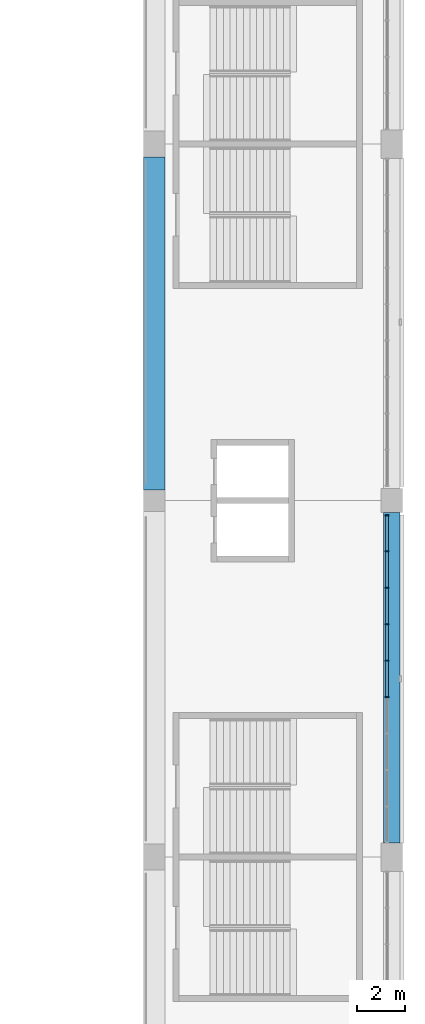
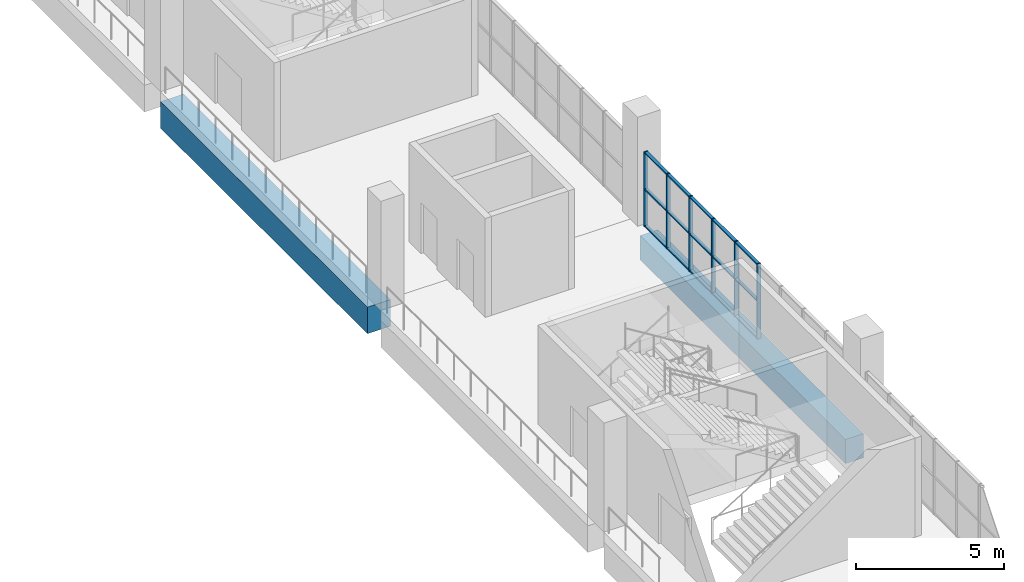
# One storey, part 24 of 177: 21 members, 2 beams, 1 element without a shape of its own.
"""IFC4 building model written with IfcOpenShell, lengths in metres."""

from ifc_helpers import new_model, si_unit, direction, frame, origin, origin_2d, place, context, subcontext, project, spatial, rectangle, extrude, material, material_profile, profile_set, type_object, element, aggregate, save


model = new_model("IFC4")

# Units and contexts
model_context = context("Model", 3, precision=1e-05, world=origin(), true_north=direction((0.0, 1.0)))
body_context = subcontext(model_context, "Body", "Model", "MODEL_VIEW")
ifc_project = project(units=[si_unit("LENGTHUNIT", "METRE"), si_unit("AREAUNIT", "SQUARE_METRE"), si_unit("VOLUMEUNIT", "CUBIC_METRE"), si_unit("PLANEANGLEUNIT", "RADIAN"), si_unit("MASSUNIT", "GRAM", prefix="KILO")], contexts=[model_context])

# Site, building, storey
site_placement = place(None, origin())
site = spatial("IfcSite", under=ifc_project, at=site_placement, CompositionType="ELEMENT")
building_placement = place(site_placement, origin())
building = spatial("IfcBuilding", under=site, at=building_placement, Name="Ogive Plaza Stadium", CompositionType="ELEMENT")
storey_placement = place(building_placement, frame((0.0, 0.0, 18.0)))
storey = spatial("IfcBuildingStorey", under=building, at=storey_placement, Name="L04", CompositionType="ELEMENT", Elevation=18.0)

# Curtain wall, members
ifc_material_1 = material(Name="Bronze-anodised aluminium with laminated glass", Category="aluminium")
curtain_wall_type = type_object("IfcCurtainWallType", Name="Lancet curtain wall", PredefinedType="NOTDEFINED", material=ifc_material_1)
curtain_wall_placement = place(storey_placement, origin())
curtain_wall = element("IfcCurtainWall", 1, at=curtain_wall_placement, inside=storey, type_object=curtain_wall_type, Name="CURTAIN WALL B05 L04", PredefinedType="NOTDEFINED")
ifc_material_2 = material(Name="Bronze-anodised aluminium", Category="aluminium")
ifc_material_profile_1 = material_profile(ifc_material_2, rectangle(XDim=0.14990234375, YDim=0.050048828125, at=origin_2d()), Name="AL 150x50")
ifc_profile_set_1 = profile_set([ifc_material_profile_1], Name="Bronze-anodised aluminium")
member_type_1 = type_object("IfcMemberType", Name="Curtain wall mullion 50x150", PredefinedType="MULLION", material=ifc_profile_set_1)
member_1_placement = place(storey_placement, frame((83.800048828125, -8.125, 0.0), z_axis=(0.0, 0.0, 1.0), x_axis=(1.0, 0.0, 0.0)))
member_1 = element("IfcMember", 2, at=member_1_placement, type_object=member_type_1, Name="CW-B05-L04 mullion 1", PredefinedType="MULLION", context=body_context, shape_type="SweptSolid", body=[
    extrude(rectangle(XDim=0.14990234375, YDim=0.050048828125, at=origin_2d()), origin(), (0.0, 0.0, 1.0), 3.090087890625),
])
member_2_placement = place(storey_placement, frame((83.800048828125, -9.63330078125, 0.0), z_axis=(0.0, 0.0, 1.0), x_axis=(1.0, 0.0, 0.0)))
member_2 = element("IfcMember", 3, at=member_2_placement, type_object=member_type_1, Name="CW-B05-L04 mullion 2", PredefinedType="MULLION", context=body_context, shape_type="SweptSolid", body=[
    extrude(rectangle(XDim=0.14990234375, YDim=0.050048828125, at=origin_2d()), origin(), (0.0, 0.0, 1.0), 3.090087890625),
])
member_3_placement = place(storey_placement, frame((83.800048828125, -11.166748046875, 0.0), z_axis=(0.0, 0.0, 1.0), x_axis=(1.0, 0.0, 0.0)))
member_3 = element("IfcMember", 4, at=member_3_placement, type_object=member_type_1, Name="CW-B05-L04 mullion 3", PredefinedType="MULLION", context=body_context, shape_type="SweptSolid", body=[
    extrude(rectangle(XDim=0.14990234375, YDim=0.050048828125, at=origin_2d()), origin(), (0.0, 0.0, 1.0), 3.090087890625),
])
member_4_placement = place(storey_placement, frame((83.800048828125, -12.699951171875, 0.0), z_axis=(0.0, 0.0, 1.0), x_axis=(1.0, 0.0, 0.0)))
member_4 = element("IfcMember", 5, at=member_4_placement, type_object=member_type_1, Name="CW-B05-L04 mullion 4", PredefinedType="MULLION", context=body_context, shape_type="SweptSolid", body=[
    extrude(rectangle(XDim=0.14990234375, YDim=0.050048828125, at=origin_2d()), origin(), (0.0, 0.0, 1.0), 3.090087890625),
])
member_5_placement = place(storey_placement, frame((83.800048828125, -14.2333984375, 0.0), z_axis=(0.0, 0.0, 1.0), x_axis=(1.0, 0.0, 0.0)))
member_5 = element("IfcMember", 6, at=member_5_placement, type_object=member_type_1, Name="CW-B05-L04 mullion 5", PredefinedType="MULLION", context=body_context, shape_type="SweptSolid", body=[
    extrude(rectangle(XDim=0.14990234375, YDim=0.050048828125, at=origin_2d()), origin(), (0.0, 0.0, 1.0), 3.090087890625),
])
member_6_placement = place(storey_placement, frame((83.800048828125, -15.7666015625, 0.0), z_axis=(0.0, 0.0, 1.0), x_axis=(1.0, 0.0, 0.0)))
member_6 = element("IfcMember", 7, at=member_6_placement, type_object=member_type_1, Name="CW-B05-L04 mullion 6", PredefinedType="MULLION", context=body_context, shape_type="SweptSolid", body=[
    extrude(rectangle(XDim=0.14990234375, YDim=0.050048828125, at=origin_2d()), origin(), (0.0, 0.0, 1.0), 3.090087890625),
])
ifc_material_3 = material(Name="Bronze-anodised aluminium", Category="aluminium")
ifc_material_profile_2 = material_profile(ifc_material_3, rectangle(XDim=0.1201171875, YDim=0.050048828125, at=origin_2d()), Name="AL 120x50")
ifc_profile_set_2 = profile_set([ifc_material_profile_2], Name="Bronze-anodised aluminium")
member_type_2 = type_object("IfcMemberType", Name="Curtain wall transom 50x120", PredefinedType="USERDEFINED", material=ifc_profile_set_2)
member_7_placement = place(storey_placement, frame((83.800048828125, -8.14990234375, 0.02490234375), z_axis=(0.0, -1.0, 0.0), x_axis=(1.0, 0.0, 0.0)))
member_7 = element("IfcMember", 8, at=member_7_placement, type_object=member_type_2, Name="CW-B05-L04 transom 1.1", ObjectType="TRANSOM", PredefinedType="USERDEFINED", context=body_context, shape_type="SweptSolid", body=[
    extrude(rectangle(XDim=0.1201171875, YDim=0.050048828125, at=origin_2d()), origin(), (0.0, 0.0, 1.0), 1.45849609375),
])
member_8_placement = place(storey_placement, frame((83.800048828125, -8.14990234375, 1.544921875), z_axis=(0.0, -1.0, 0.0), x_axis=(1.0, 0.0, 0.0)))
member_8 = element("IfcMember", 9, at=member_8_placement, type_object=member_type_2, Name="CW-B05-L04 transom 1.2", ObjectType="TRANSOM", PredefinedType="USERDEFINED", context=body_context, shape_type="SweptSolid", body=[
    extrude(rectangle(XDim=0.1201171875, YDim=0.050048828125, at=origin_2d()), origin(), (0.0, 0.0, 1.0), 1.45849609375),
])
member_9_placement = place(storey_placement, frame((83.800048828125, -8.14990234375, 3.06494140625), z_axis=(0.0, -1.0, 0.0), x_axis=(1.0, 0.0, 0.0)))
member_9 = element("IfcMember", 10, at=member_9_placement, type_object=member_type_2, Name="CW-B05-L04 transom 1.3", ObjectType="TRANSOM", PredefinedType="USERDEFINED", context=body_context, shape_type="SweptSolid", body=[
    extrude(rectangle(XDim=0.1201171875, YDim=0.050048828125, at=origin_2d()), origin(), (0.0, 0.0, 1.0), 1.45849609375),
])
member_10_placement = place(storey_placement, frame((83.800048828125, -9.658447265625, 0.02490234375), z_axis=(0.0, -1.0, 0.0), x_axis=(1.0, 0.0, 0.0)))
member_10 = element("IfcMember", 11, at=member_10_placement, type_object=member_type_2, Name="CW-B05-L04 transom 2.1", ObjectType="TRANSOM", PredefinedType="USERDEFINED", context=body_context, shape_type="SweptSolid", body=[
    extrude(rectangle(XDim=0.1201171875, YDim=0.050048828125, at=origin_2d()), origin(), (0.0, 0.0, 1.0), 1.483154296875),
])
member_11_placement = place(storey_placement, frame((83.800048828125, -9.658447265625, 1.544921875), z_axis=(0.0, -1.0, 0.0), x_axis=(1.0, 0.0, 0.0)))
member_11 = element("IfcMember", 12, at=member_11_placement, type_object=member_type_2, Name="CW-B05-L04 transom 2.2", ObjectType="TRANSOM", PredefinedType="USERDEFINED", context=body_context, shape_type="SweptSolid", body=[
    extrude(rectangle(XDim=0.1201171875, YDim=0.050048828125, at=origin_2d()), origin(), (0.0, 0.0, 1.0), 1.483154296875),
])
member_12_placement = place(storey_placement, frame((83.800048828125, -9.658447265625, 3.06494140625), z_axis=(0.0, -1.0, 0.0), x_axis=(1.0, 0.0, 0.0)))
member_12 = element("IfcMember", 13, at=member_12_placement, type_object=member_type_2, Name="CW-B05-L04 transom 2.3", ObjectType="TRANSOM", PredefinedType="USERDEFINED", context=body_context, shape_type="SweptSolid", body=[
    extrude(rectangle(XDim=0.1201171875, YDim=0.050048828125, at=origin_2d()), origin(), (0.0, 0.0, 1.0), 1.483154296875),
])
member_13_placement = place(storey_placement, frame((83.800048828125, -11.191650390625, 0.02490234375), z_axis=(0.0, -1.0, 0.0), x_axis=(1.0, 0.0, 0.0)))
member_13 = element("IfcMember", 14, at=member_13_placement, type_object=member_type_2, Name="CW-B05-L04 transom 3.1", ObjectType="TRANSOM", PredefinedType="USERDEFINED", context=body_context, shape_type="SweptSolid", body=[
    extrude(rectangle(XDim=0.1201171875, YDim=0.050048828125, at=origin_2d()), origin(), (0.0, 0.0, 1.0), 1.4833984375),
])
member_14_placement = place(storey_placement, frame((83.800048828125, -11.191650390625, 1.544921875), z_axis=(0.0, -1.0, 0.0), x_axis=(1.0, 0.0, 0.0)))
member_14 = element("IfcMember", 15, at=member_14_placement, type_object=member_type_2, Name="CW-B05-L04 transom 3.2", ObjectType="TRANSOM", PredefinedType="USERDEFINED", context=body_context, shape_type="SweptSolid", body=[
    extrude(rectangle(XDim=0.1201171875, YDim=0.050048828125, at=origin_2d()), origin(), (0.0, 0.0, 1.0), 1.4833984375),
])
member_15_placement = place(storey_placement, frame((83.800048828125, -11.191650390625, 3.06494140625), z_axis=(0.0, -1.0, 0.0), x_axis=(1.0, 0.0, 0.0)))
member_15 = element("IfcMember", 16, at=member_15_placement, type_object=member_type_2, Name="CW-B05-L04 transom 3.3", ObjectType="TRANSOM", PredefinedType="USERDEFINED", context=body_context, shape_type="SweptSolid", body=[
    extrude(rectangle(XDim=0.1201171875, YDim=0.050048828125, at=origin_2d()), origin(), (0.0, 0.0, 1.0), 1.4833984375),
])
member_16_placement = place(storey_placement, frame((83.800048828125, -12.72509765625, 0.02490234375), z_axis=(0.0, -1.0, 0.0), x_axis=(1.0, 0.0, 0.0)))
member_16 = element("IfcMember", 17, at=member_16_placement, type_object=member_type_2, Name="CW-B05-L04 transom 4.1", ObjectType="TRANSOM", PredefinedType="USERDEFINED", context=body_context, shape_type="SweptSolid", body=[
    extrude(rectangle(XDim=0.1201171875, YDim=0.050048828125, at=origin_2d()), origin(), (0.0, 0.0, 1.0), 1.483154296875),
])
member_17_placement = place(storey_placement, frame((83.800048828125, -12.72509765625, 1.544921875), z_axis=(0.0, -1.0, 0.0), x_axis=(1.0, 0.0, 0.0)))
member_17 = element("IfcMember", 18, at=member_17_placement, type_object=member_type_2, Name="CW-B05-L04 transom 4.2", ObjectType="TRANSOM", PredefinedType="USERDEFINED", context=body_context, shape_type="SweptSolid", body=[
    extrude(rectangle(XDim=0.1201171875, YDim=0.050048828125, at=origin_2d()), origin(), (0.0, 0.0, 1.0), 1.483154296875),
])
member_18_placement = place(storey_placement, frame((83.800048828125, -12.72509765625, 3.06494140625), z_axis=(0.0, -1.0, 0.0), x_axis=(1.0, 0.0, 0.0)))
member_18 = element("IfcMember", 19, at=member_18_placement, type_object=member_type_2, Name="CW-B05-L04 transom 4.3", ObjectType="TRANSOM", PredefinedType="USERDEFINED", context=body_context, shape_type="SweptSolid", body=[
    extrude(rectangle(XDim=0.1201171875, YDim=0.050048828125, at=origin_2d()), origin(), (0.0, 0.0, 1.0), 1.483154296875),
])
member_19_placement = place(storey_placement, frame((83.800048828125, -14.25830078125, 0.02490234375), z_axis=(0.0, -1.0, 0.0), x_axis=(1.0, 0.0, 0.0)))
member_19 = element("IfcMember", 20, at=member_19_placement, type_object=member_type_2, Name="CW-B05-L04 transom 5.1", ObjectType="TRANSOM", PredefinedType="USERDEFINED", context=body_context, shape_type="SweptSolid", body=[
    extrude(rectangle(XDim=0.1201171875, YDim=0.050048828125, at=origin_2d()), origin(), (0.0, 0.0, 1.0), 1.4833984375),
])
member_20_placement = place(storey_placement, frame((83.800048828125, -14.25830078125, 1.544921875), z_axis=(0.0, -1.0, 0.0), x_axis=(1.0, 0.0, 0.0)))
member_20 = element("IfcMember", 21, at=member_20_placement, type_object=member_type_2, Name="CW-B05-L04 transom 5.2", ObjectType="TRANSOM", PredefinedType="USERDEFINED", context=body_context, shape_type="SweptSolid", body=[
    extrude(rectangle(XDim=0.1201171875, YDim=0.050048828125, at=origin_2d()), origin(), (0.0, 0.0, 1.0), 1.4833984375),
])
member_21_placement = place(storey_placement, frame((83.800048828125, -14.25830078125, 3.06494140625), z_axis=(0.0, -1.0, 0.0), x_axis=(1.0, 0.0, 0.0)))
member_21 = element("IfcMember", 22, at=member_21_placement, type_object=member_type_2, Name="CW-B05-L04 transom 5.3", ObjectType="TRANSOM", PredefinedType="USERDEFINED", context=body_context, shape_type="SweptSolid", body=[
    extrude(rectangle(XDim=0.1201171875, YDim=0.050048828125, at=origin_2d()), origin(), (0.0, 0.0, 1.0), 1.4833984375),
])
aggregate(curtain_wall, [member_1, member_2, member_3, member_4, member_5, member_6, member_7, member_8, member_9, member_10, member_11, member_12, member_13, member_14, member_15, member_16, member_17, member_18, member_19, member_20, member_21])

# Beams
ifc_material_4 = material(Name="Concrete C40/50", Category="concrete")
ifc_material_profile_3 = material_profile(ifc_material_4, rectangle(XDim=0.89990234375, YDim=1.10009765625, at=origin_2d()), Name="RC 900x1100")
ifc_profile_set_3 = profile_set([ifc_material_profile_3], Name="Concrete C40/50")
beam_type_1 = type_object("IfcBeamType", Name="RC ring beam 900x1100", PredefinedType="BEAM", material=ifc_profile_set_3)
beam_1_placement = place(storey_placement, frame((74.0, 6.949951171875, -0.9599609375), z_axis=(0.0, -1.0, 0.0), x_axis=(1.0, 0.0, 0.0)))
element("IfcBeam", 23, at=beam_1_placement, inside=storey, type_object=beam_type_1, Name="Ring beam F4 L04 B04", PredefinedType="BEAM", context=body_context, shape_type="SweptSolid", body=[
    extrude(rectangle(XDim=0.89990234375, YDim=1.10009765625, at=origin_2d()), origin(), (0.0, 0.0, 1.0), 14.0),
])
ifc_material_5 = material(Name="Concrete C40/50", Category="concrete")
ifc_material_profile_4 = material_profile(ifc_material_5, rectangle(XDim=0.699951171875, YDim=1.0, at=origin_2d()), Name="RC 700x1000")
ifc_profile_set_4 = profile_set([ifc_material_profile_4], Name="Concrete C40/50")
beam_type_2 = type_object("IfcBeamType", Name="RC spandrel beam 700x1000", PredefinedType="SPANDREL", material=ifc_profile_set_4)
beam_2_placement = place(storey_placement, frame((84.0, -8.0, -0.909912109375), z_axis=(0.0, -1.0, 0.0), x_axis=(1.0, 0.0, 0.0)))
element("IfcBeam", 24, at=beam_2_placement, inside=storey, type_object=beam_type_2, Name="Ring beam F5 L04 B05", PredefinedType="SPANDREL", context=body_context, shape_type="SweptSolid", body=[
    extrude(rectangle(XDim=0.699951171875, YDim=1.0, at=origin_2d()), origin(), (0.0, 0.0, 1.0), 13.89990234375),
])

save(model, "model.ifc")
